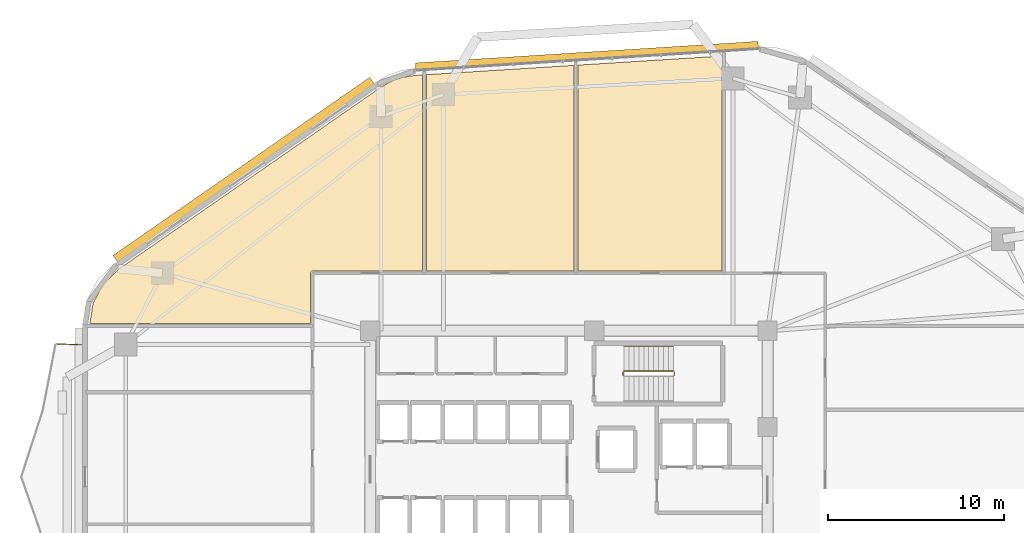
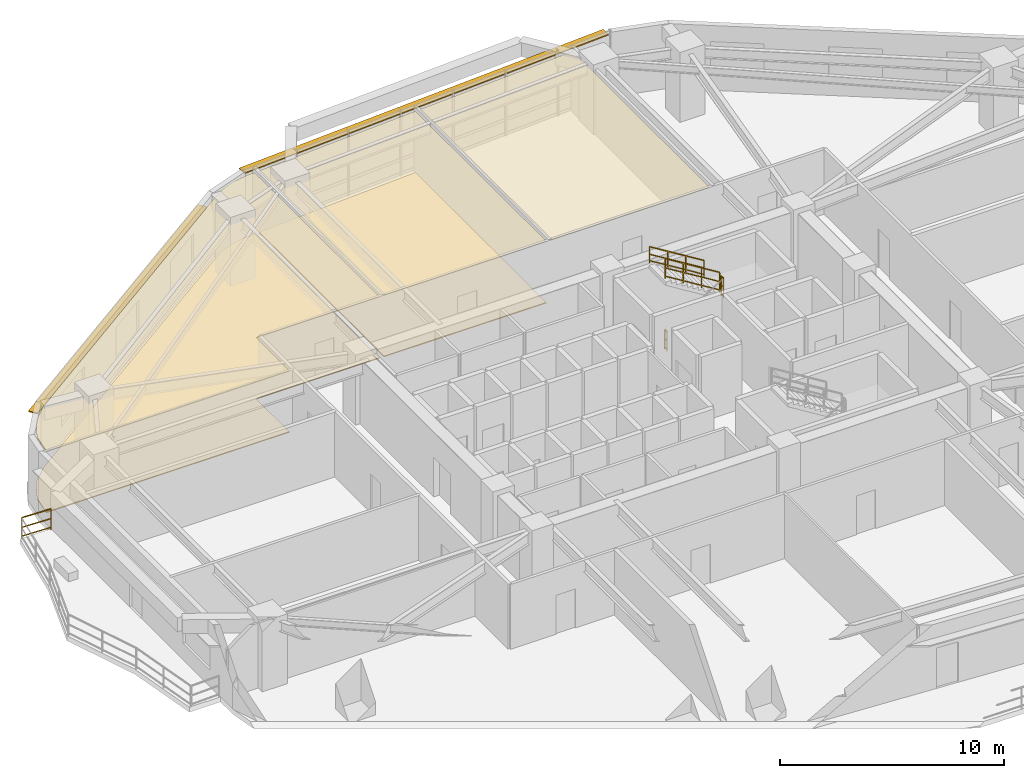
# One storey, part 13 of 14: 5 coverings, 5 railings, 2 shading devices.
"""IFC4 building model written with IfcOpenShell, lengths in metres."""

from ifc_helpers import new_model, si_unit, direction, frame, origin, origin_2d, place, context, subcontext, project, spatial, polyline, rectangle, outline, extrude, material, layer, layer_set, type_object, element, save


model = new_model("IFC4")

# Units and contexts
model_context = context("Model", 3, precision=1e-05, world=origin(), true_north=direction((0.0, 1.0)))
body_context = subcontext(model_context, "Body", "Model", "MODEL_VIEW")
ifc_project = project(units=[si_unit("LENGTHUNIT", "METRE"), si_unit("AREAUNIT", "SQUARE_METRE"), si_unit("VOLUMEUNIT", "CUBIC_METRE"), si_unit("PLANEANGLEUNIT", "RADIAN"), si_unit("MASSUNIT", "GRAM", prefix="KILO")], contexts=[model_context])

# Site, building, storey
site_placement = place(None, origin())
site = spatial("IfcSite", under=ifc_project, at=site_placement, CompositionType="ELEMENT")
building_placement = place(site_placement, origin())
building = spatial("IfcBuilding", under=site, at=building_placement, Name="Zulverin Broadcast Headquarters", CompositionType="ELEMENT")
storey_placement = place(building_placement, frame((0.0, 0.0, 55.39990234375)))
storey = spatial("IfcBuildingStorey", under=building, at=storey_placement, Name="L13", CompositionType="ELEMENT", Elevation=55.39990234375)

# Coverings
ifc_material_1 = material(Name="Perforated pale-metal acoustic baffle ceiling", Category="aluminium")
ifc_layer_1 = layer(ifc_material_1, 0.0400390625, Name="Perforated pale-metal acoustic baffle ceiling", Category="aluminium")
ifc_layer_set_1 = layer_set([ifc_layer_1], Name="Perforated pale-metal acoustic baffle ceiling")
covering_type_1 = type_object("IfcCoveringType", Name="COV-CEIL-ACOU", PredefinedType="CEILING", material=ifc_layer_set_1)
covering_1_placement = place(storey_placement, frame((0.0, 0.0, 3.34521484375)))
element("IfcCovering", 1, at=covering_1_placement, inside=storey, type_object=covering_type_1, Name="L13 Acoustic Baffle Ceiling 01", PredefinedType="CEILING", context=body_context, shape_type="SweptSolid", body=[
    extrude(outline(polyline([(11.4599609375, 36.583984375), (10.56005859375, 35.719970703125), (10.0, 34.639892578125), (9.81591796875, 33.5), (22.33203125, 33.5), (22.33203125, 36.35205078125), (22.33203125, 36.364013671875), (22.3359375, 36.3759765625), (22.3359375, 36.387939453125), (22.340087890625, 36.39599609375), (22.347900390625, 36.407958984375), (22.35205078125, 36.419921875), (22.360107421875, 36.427978515625), (22.367919921875, 36.43603515625), (22.3759765625, 36.444091796875), (22.384033203125, 36.451904296875), (22.39599609375, 36.4560546875), (22.407958984375, 36.464111328125), (22.416015625, 36.468017578125), (22.427978515625, 36.468017578125), (22.43994140625, 36.471923828125), (22.451904296875, 36.471923828125), (28.679931640625, 36.471923828125), (28.679931640625, 47.60009765625), (28.27587890625, 47.575927734375), (27.575927734375, 47.468017578125), (26.927978515625, 47.243896484375), (26.31591796875, 46.89599609375), (11.4599609375, 36.583984375)])), origin(), (0.0, 0.0, 1.0), 0.039794921875),
])
covering_2_placement = place(storey_placement, frame((0.0, 0.0, 3.34521484375)))
element("IfcCovering", 2, at=covering_2_placement, inside=storey, type_object=covering_type_1, Name="L13 Acoustic Baffle Ceiling 02", PredefinedType="CEILING", context=body_context, shape_type="SweptSolid", body=[
    extrude(outline(polyline([(37.280029296875, 36.471923828125), (37.280029296875, 48.14404296875), (28.919921875, 47.615966796875), (28.919921875, 36.471923828125), (37.280029296875, 36.471923828125)])), origin(), (0.0, 0.0, 1.0), 0.039794921875),
])
covering_3_placement = place(storey_placement, frame((0.0, 0.0, 3.34521484375)))
element("IfcCovering", 3, at=covering_3_placement, inside=storey, type_object=covering_type_1, Name="L13 Acoustic Baffle Ceiling 03", PredefinedType="CEILING", context=body_context, shape_type="SweptSolid", body=[
    extrude(outline(polyline([(45.679931640625, 36.471923828125), (45.679931640625, 48.672119140625), (37.52001953125, 48.159912109375), (37.52001953125, 36.471923828125), (45.679931640625, 36.471923828125)])), origin(), (0.0, 0.0, 1.0), 0.039794921875),
])
ifc_material_2 = material(Name="Anti-static broadcast raised access flooring", Category="stone")
ifc_layer_2 = layer(ifc_material_2, 0.050048828125, Name="Anti-static broadcast raised access flooring", Category="stone")
ifc_layer_set_2 = layer_set([ifc_layer_2], Name="Anti-static broadcast raised access flooring")
covering_type_2 = type_object("IfcCoveringType", Name="COV-FLR-RAISED", PredefinedType="FLOORING", material=ifc_layer_set_2)
covering_4_placement = place(storey_placement, origin())
element("IfcCovering", 4, at=covering_4_placement, inside=storey, type_object=covering_type_2, Name="L13 Broadcast Raised Access Flooring 01", PredefinedType="FLOORING", context=body_context, shape_type="SweptSolid", body=[
    extrude(outline(polyline([(11.4599609375, 36.583984375), (10.56005859375, 35.719970703125), (10.0, 34.639892578125), (9.81591796875, 33.5), (22.33203125, 33.5), (22.33203125, 36.35205078125), (22.33203125, 36.364013671875), (22.3359375, 36.3759765625), (22.3359375, 36.387939453125), (22.340087890625, 36.39599609375), (22.347900390625, 36.407958984375), (22.35205078125, 36.419921875), (22.360107421875, 36.427978515625), (22.367919921875, 36.43603515625), (22.3759765625, 36.444091796875), (22.384033203125, 36.451904296875), (22.39599609375, 36.4560546875), (22.407958984375, 36.464111328125), (22.416015625, 36.468017578125), (22.427978515625, 36.468017578125), (22.43994140625, 36.471923828125), (22.451904296875, 36.471923828125), (28.679931640625, 36.471923828125), (28.679931640625, 47.60009765625), (28.27587890625, 47.575927734375), (27.575927734375, 47.468017578125), (26.927978515625, 47.243896484375), (26.31591796875, 46.89599609375), (11.4599609375, 36.583984375)])), origin(), (0.0, 0.0, 1.0), 0.050048828125),
])
covering_5_placement = place(storey_placement, origin())
element("IfcCovering", 5, at=covering_5_placement, inside=storey, type_object=covering_type_2, Name="L13 Broadcast Raised Access Flooring 02", PredefinedType="FLOORING", context=body_context, shape_type="SweptSolid", body=[
    extrude(outline(polyline([(37.280029296875, 36.471923828125), (37.280029296875, 48.14404296875), (28.919921875, 47.615966796875), (28.919921875, 36.471923828125), (37.280029296875, 36.471923828125)])), origin(), (0.0, 0.0, 1.0), 0.050048828125),
])

# Railings
ifc_material_3 = material(Name="Brushed stainless steel & laminated glass balustrade", Category="steel")
railing_type_1 = type_object("IfcRailingType", Name="RL-GUARD-1150", PredefinedType="GUARDRAIL", material=ifc_material_3)
railing_1_placement = place(storey_placement, frame((9.360107421875, 32.284423828125, 0.0)))
element("IfcRailing", 6, at=railing_1_placement, inside=storey, type_object=railing_type_1, Name="L13 Vertical-Forest Balcony Guardrail BAL_W Segment 01", PredefinedType="GUARDRAIL", context=body_context, shape_type="SweptSolid", body=[
    extrude(rectangle(XDim=0.048095703125, YDim=0.048095703125, at=origin_2d()), frame((0.0, 0.0, 1.1259765625), z_axis=(-0.999181155166, 0.040460093435, 0.0), x_axis=(-0.040460093435, -0.999181155166, 0.0)), (0.0, 0.0, 1.0), 1.46630859375),
    extrude(rectangle(XDim=0.0419921875, YDim=0.0419921875, at=origin_2d()), frame((0.0, 0.0, 0.597900390625), z_axis=(-0.999181155166, 0.040460093435, 0.0), x_axis=(-0.040460093435, -0.999181155166, 0.0)), (0.0, 0.0, 1.0), 1.46630859375),
    extrude(rectangle(XDim=0.0419921875, YDim=0.0419921875, at=origin_2d()), frame((0.0, 0.0, 0.1201171875), z_axis=(-0.999181155166, 0.040460093435, 0.0), x_axis=(-0.040460093435, -0.999181155166, 0.0)), (0.0, 0.0, 1.0), 1.46630859375),
    extrude(rectangle(XDim=0.0419921875, YDim=0.0419921875, at=origin_2d()), origin(), (0.0, 0.0, 1.0), 1.101806640625),
    extrude(rectangle(XDim=0.0419921875, YDim=0.0419921875, at=origin_2d()), frame((-1.465087890625, 0.059326171875, 0.0)), (0.0, 0.0, 1.0), 1.101806640625),
])
ifc_material_4 = material(Name="Painted galvanized steel tubular guardrail S355JR", Category="steel")
railing_type_2 = type_object("IfcRailingType", Name="RL-ST-GUARD", PredefinedType="GUARDRAIL", material=ifc_material_4)
railing_2_placement = place(storey_placement, frame((42.97998046875, 30.550048828125, 1.900146484375)))
element("IfcRailing", 7, at=railing_2_placement, inside=storey, type_object=railing_type_2, Name="L13 ST-1 stair guard 2", PredefinedType="GUARDRAIL", context=body_context, shape_type="SweptSolid", body=[
    extrude(rectangle(XDim=0.048095703125, YDim=0.048095703125, at=origin_2d()), frame((0.0, 0.0, 1.076171875), z_axis=(0.0, 1.0, 0.0), x_axis=(-1.0, 0.0, 0.0)), (0.0, 0.0, 1.0), 0.199951171875),
    extrude(rectangle(XDim=0.0419921875, YDim=0.0419921875, at=origin_2d()), frame((0.0, 0.0, 0.572021484375), z_axis=(0.0, 1.0, 0.0), x_axis=(-1.0, 0.0, 0.0)), (0.0, 0.0, 1.0), 0.199951171875),
    extrude(rectangle(XDim=0.0419921875, YDim=0.0419921875, at=origin_2d()), frame((0.0, 0.0, 0.1201171875), z_axis=(0.0, 1.0, 0.0), x_axis=(-1.0, 0.0, 0.0)), (0.0, 0.0, 1.0), 0.199951171875),
    extrude(rectangle(XDim=0.0419921875, YDim=0.0419921875, at=origin_2d()), origin(), (0.0, 0.0, 1.0), 1.052001953125),
    extrude(rectangle(XDim=0.0419921875, YDim=0.0419921875, at=origin_2d()), frame((0.0, 0.199951171875, 0.0)), (0.0, 0.0, 1.0), 1.052001953125),
])
railing_3_placement = place(storey_placement, frame((42.929931640625, 30.800048828125, 2.07275390625)))
element("IfcRailing", 8, at=railing_3_placement, inside=storey, type_object=railing_type_2, Name="L13 ST-1 stair guard 3", PredefinedType="GUARDRAIL", context=body_context, shape_type="SweptSolid", body=[
    extrude(rectangle(XDim=0.048095703125, YDim=0.048095703125, at=origin_2d()), frame((0.0, 0.0, 1.076171875), z_axis=(-0.851089632645, 0.0, 0.525020415988), x_axis=(0.0, -1.0, 0.0)), (0.0, 0.0, 1.0), 3.2900390625),
    extrude(rectangle(XDim=0.0419921875, YDim=0.0419921875, at=origin_2d()), frame((0.0, 0.0, 0.572021484375), z_axis=(-0.851089632645, 0.0, 0.525020415988), x_axis=(0.0, -1.0, 0.0)), (0.0, 0.0, 1.0), 3.2900390625),
    extrude(rectangle(XDim=0.0419921875, YDim=0.0419921875, at=origin_2d()), frame((0.0, 0.0, 0.1201171875), z_axis=(-0.851089632645, 0.0, 0.525020415988), x_axis=(0.0, -1.0, 0.0)), (0.0, 0.0, 1.0), 3.2900390625),
    extrude(rectangle(XDim=0.0419921875, YDim=0.0419921875, at=origin_2d()), origin(), (0.0, 0.0, 1.0), 1.052001953125),
    extrude(rectangle(XDim=0.0419921875, YDim=0.0419921875, at=origin_2d()), frame((-0.933349609375, 0.0, 0.57568359375)), (0.0, 0.0, 1.0), 1.052001953125),
    extrude(rectangle(XDim=0.0419921875, YDim=0.0419921875, at=origin_2d()), frame((-1.86669921875, 0.0, 1.151611328125)), (0.0, 0.0, 1.0), 1.052001953125),
    extrude(rectangle(XDim=0.0419921875, YDim=0.0419921875, at=origin_2d()), frame((-2.800048828125, 0.0, 1.727294921875)), (0.0, 0.0, 1.0), 1.052001953125),
])
railing_4_placement = place(storey_placement, frame((40.080078125, 30.550048828125, 0.0)))
element("IfcRailing", 9, at=railing_4_placement, inside=storey, type_object=railing_type_2, Name="L13 ST-1 stair guard 4", PredefinedType="GUARDRAIL", context=body_context, shape_type="SweptSolid", body=[
    extrude(rectangle(XDim=0.048095703125, YDim=0.048095703125, at=origin_2d()), frame((0.0, 0.0, 1.076171875), z_axis=(0.0, 1.0, 0.0), x_axis=(-1.0, 0.0, 0.0)), (0.0, 0.0, 1.0), 0.199951171875),
    extrude(rectangle(XDim=0.0419921875, YDim=0.0419921875, at=origin_2d()), frame((0.0, 0.0, 0.572021484375), z_axis=(0.0, 1.0, 0.0), x_axis=(-1.0, 0.0, 0.0)), (0.0, 0.0, 1.0), 0.199951171875),
    extrude(rectangle(XDim=0.0419921875, YDim=0.0419921875, at=origin_2d()), frame((0.0, 0.0, 0.1201171875), z_axis=(0.0, 1.0, 0.0), x_axis=(-1.0, 0.0, 0.0)), (0.0, 0.0, 1.0), 0.199951171875),
    extrude(rectangle(XDim=0.0419921875, YDim=0.0419921875, at=origin_2d()), origin(), (0.0, 0.0, 1.0), 1.052001953125),
    extrude(rectangle(XDim=0.0419921875, YDim=0.0419921875, at=origin_2d()), frame((0.0, 0.199951171875, 0.0)), (0.0, 0.0, 1.0), 1.052001953125),
])
ifc_material_5 = material(Name="Brushed stainless steel 48 mm handrail", Category="steel")
railing_type_3 = type_object("IfcRailingType", Name="RL-ST-HAND", PredefinedType="HANDRAIL", material=ifc_material_5)
railing_5_placement = place(storey_placement, frame((42.929931640625, 32.199951171875, 2.07275390625)))
element("IfcRailing", 10, at=railing_5_placement, inside=storey, type_object=railing_type_3, Name="L13 ST-1 stair handrail 2", PredefinedType="HANDRAIL", context=body_context, shape_type="SweptSolid", body=[
    extrude(rectangle(XDim=0.048095703125, YDim=0.048095703125, at=origin_2d()), frame((0.0, 0.0, 0.8759765625), z_axis=(-0.851089632645, 0.0, 0.525020415988), x_axis=(0.0, -1.0, 0.0)), (0.0, 0.0, 1.0), 3.2900390625),
    extrude(rectangle(XDim=0.0419921875, YDim=0.0419921875, at=origin_2d()), frame((0.0, 0.0, 0.468017578125), z_axis=(-0.851089632645, 0.0, 0.525020415988), x_axis=(0.0, -1.0, 0.0)), (0.0, 0.0, 1.0), 3.2900390625),
    extrude(rectangle(XDim=0.0419921875, YDim=0.0419921875, at=origin_2d()), frame((0.0, 0.0, 0.1201171875), z_axis=(-0.851089632645, 0.0, 0.525020415988), x_axis=(0.0, -1.0, 0.0)), (0.0, 0.0, 1.0), 3.2900390625),
    extrude(rectangle(XDim=0.0419921875, YDim=0.0419921875, at=origin_2d()), origin(), (0.0, 0.0, 1.0), 0.851806640625),
    extrude(rectangle(XDim=0.0419921875, YDim=0.0419921875, at=origin_2d()), frame((-0.933349609375, 0.0, 0.57568359375)), (0.0, 0.0, 1.0), 0.851806640625),
    extrude(rectangle(XDim=0.0419921875, YDim=0.0419921875, at=origin_2d()), frame((-1.86669921875, 0.0, 1.151611328125)), (0.0, 0.0, 1.0), 0.851806640625),
    extrude(rectangle(XDim=0.0419921875, YDim=0.0419921875, at=origin_2d()), frame((-2.800048828125, 0.0, 1.727294921875)), (0.0, 0.0, 1.0), 0.851806640625),
])

# Shading devices
ifc_material_6 = material(Name="Anodized pale-metal aluminium sunshade", Category="aluminium")
ifc_layer_3 = layer(ifc_material_6, 0.06005859375, Name="Anodized pale-metal aluminium sunshade", Category="aluminium")
ifc_layer_set_3 = layer_set([ifc_layer_3], Name="Anodized pale-metal aluminium sunshade")
shading_device_type = type_object("IfcShadingDeviceType", Name="SS-01_PALE_METAL_ALUMINIUM_SUNSHADE", PredefinedType="USERDEFINED", material=ifc_layer_set_3)
shading_device_1_placement = place(storey_placement, frame((38.022705078125, 48.671142578125, 3.295166015625), z_axis=(0.0, 0.0, 1.0), x_axis=(-0.998017621976, -0.062935095345, 0.0)))
element("IfcShadingDevice", 11, at=shading_device_1_placement, inside=storey, type_object=shading_device_type, Name="L13 Pale-Metal Horizontal Sunshade Band CW-L13-E5", ObjectType="SUNSHADE", PredefinedType="USERDEFINED", context=body_context, shape_type="SweptSolid", body=[
    extrude(rectangle(XDim=19.489501953125, YDim=0.449951171875, at=origin_2d()), origin(), (0.0, 0.0, 1.0), 0.06005859375),
])
shading_device_2_placement = place(storey_placement, frame((18.539794921875, 42.22802734375, 2.7099609375), z_axis=(0.0, 0.0, 1.0), x_axis=(-0.821556397865, -0.57012725345, 0.0)))
element("IfcShadingDevice", 12, at=shading_device_2_placement, inside=storey, type_object=shading_device_type, Name="L13 Horizontal Pale-Metal Sunshade Band 6", ObjectType="SUNSHADE", PredefinedType="USERDEFINED", context=body_context, shape_type="SweptSolid", body=[
    extrude(rectangle(XDim=17.732421875, YDim=0.449951171875, at=origin_2d()), origin(), (0.0, 0.0, 1.0), 0.06005859375),
])

save(model, "model.ifc")
